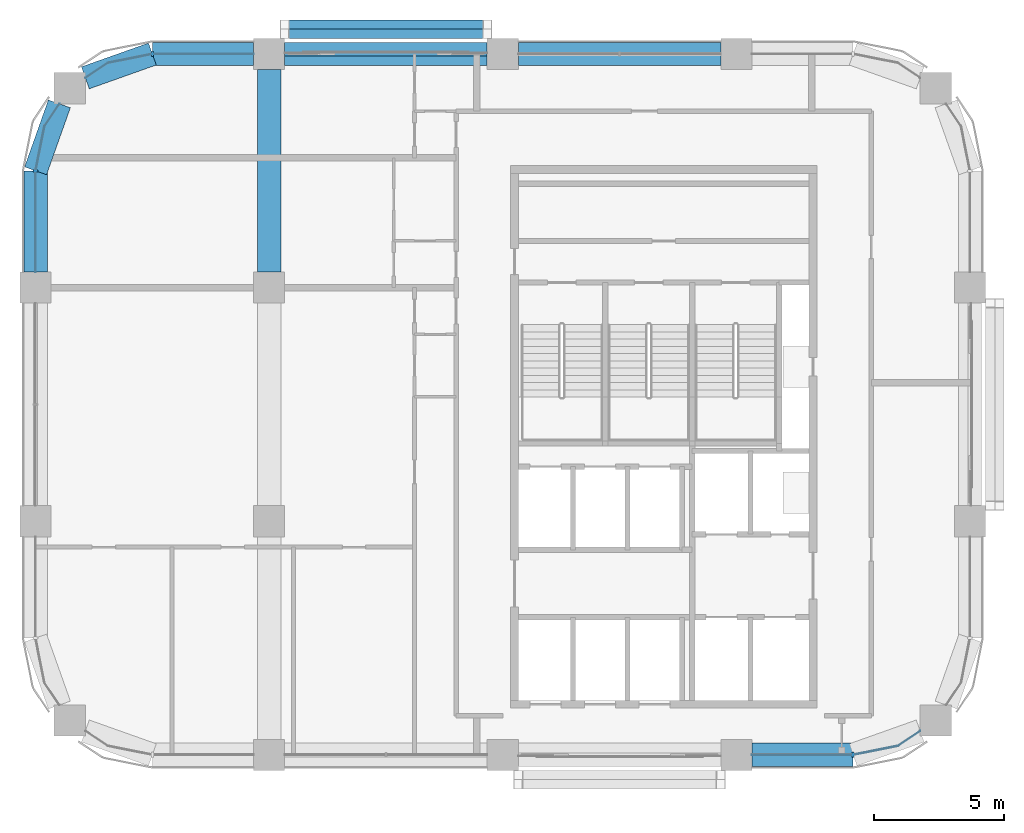
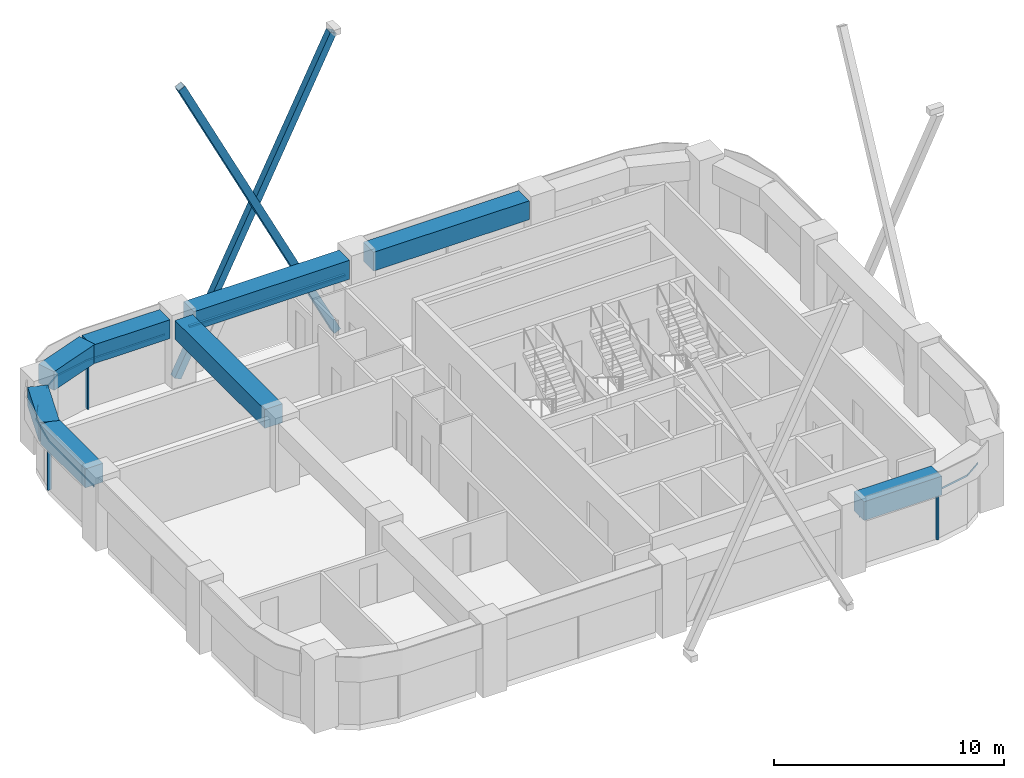
# One storey, part 3 of 10: 9 members, 8 beams, 4 elements without a shape of their own.
"""IFC4 building model written with IfcOpenShell, lengths in metres."""

from ifc_helpers import new_model, si_unit, direction, frame, origin, origin_2d, place, context, subcontext, project, spatial, polyline, rectangle, hollow_rectangle, outline, extrude, material, material_profile, profile_set, type_object, element, aggregate, save


model = new_model("IFC4")

# Units and contexts
model_context = context("Model", 3, precision=1e-05, world=origin(), true_north=direction((0.0, 1.0)))
body_context = subcontext(model_context, "Body", "Model", "MODEL_VIEW")
ifc_project = project(units=[si_unit("LENGTHUNIT", "METRE"), si_unit("AREAUNIT", "SQUARE_METRE"), si_unit("VOLUMEUNIT", "CUBIC_METRE"), si_unit("PLANEANGLEUNIT", "RADIAN"), si_unit("MASSUNIT", "GRAM", prefix="KILO")], contexts=[model_context])

# Site, building, storey
site_placement = place(None, origin())
site = spatial("IfcSite", under=ifc_project, at=site_placement, CompositionType="ELEMENT")
building_placement = place(site_placement, origin())
building = spatial("IfcBuilding", under=site, at=building_placement, Name="Tessera Arch", CompositionType="ELEMENT")
storey_placement = place(building_placement, frame((0.0, 0.0, 301.199951171875)))
storey = spatial("IfcBuildingStorey", under=building, at=storey_placement, Name="L72", CompositionType="ELEMENT", Elevation=301.199951171875)

# Members
ifc_material_1 = material(Name="Steel A500 Gr C", Category="steel")
ifc_material_profile_1 = material_profile(ifc_material_1, hollow_rectangle(XDim=0.355712890625, YDim=0.355712890625, WallThickness=0.01171875, at=origin_2d()), Name="HSS14x14x1/2")
ifc_profile_set_1 = profile_set([ifc_material_profile_1], Name="Steel A500 Gr C")
member_type_1 = type_object("IfcMemberType", Name="Brace HSS14x14x1/2 Steel A500 Gr C", PredefinedType="BRACE", material=ifc_profile_set_1)
for number, where, z_axis, x_axis, name in (
    (1, (35.39990234375, 54.77783203125, -0.800048828125), (-0.447202397208, 0.0, 0.894432790058), (0.0, -1.0, 0.0), "Brace N54.18-2 A L72-L75"),
    (2, (27.60009765625, 55.13330078125, -0.800048828125), (0.447202397208, 0.0, 0.894432790058), (0.0, 1.0, 0.0), "Brace N54.18-2 B L72-L75"),
):
    element("IfcMember", number, at=place(storey_placement, frame(where, z_axis=z_axis, x_axis=x_axis)), inside=storey, type_object=member_type_1, Name=name, PredefinedType="BRACE", context=body_context, shape_type="SweptSolid", body=[
        extrude(hollow_rectangle(XDim=0.355712890625, YDim=0.355712890625, WallThickness=0.01171875, at=origin_2d()), origin(), (0.0, 0.0, 1.0), 17.44140625),
    ])

# Curtain wall, member
ifc_material_2 = material(Name="CW2 curtain wall")
curtain_wall_type_1 = type_object("IfcCurtainWallType", Name="CW2 curtain wall", PredefinedType="NOTDEFINED", material=ifc_material_2)
curtain_wall_1_placement = place(storey_placement, origin())
curtain_wall_1 = element("IfcCurtainWall", 3, at=curtain_wall_1_placement, inside=storey, type_object=curtain_wall_type_1, Name="CW2 curtain wall N54.18/3 L72", PredefinedType="NOTDEFINED")
ifc_material_3 = material(Name="Anodised aluminium pale metal", Category="aluminium")
ifc_material_profile_2 = material_profile(ifc_material_3, rectangle(XDim=0.199951171875, YDim=0.080078125, at=origin_2d()), Name="AL 80x200")
ifc_profile_set_2 = profile_set([ifc_material_profile_2], Name="Anodised aluminium pale metal")
member_type_2 = type_object("IfcMemberType", Name="CW2 mullion", PredefinedType="MULLION", material=ifc_profile_set_2)
member_1_placement = place(storey_placement, frame((22.5, 54.0, 0.0), z_axis=(0.0, 0.0, 1.0), x_axis=(0.0, -1.0, 0.0)))
member_1 = element("IfcMember", 4, at=member_1_placement, type_object=member_type_2, Name="CW2 mullion N54.18/3 1", PredefinedType="MULLION", context=body_context, shape_type="SweptSolid", body=[
    extrude(rectangle(XDim=0.199951171875, YDim=0.080078125, at=origin_2d()), origin(), (0.0, 0.0, 1.0), 2.5),
])

curtain_wall_2_placement = place(storey_placement, origin())
curtain_wall_2 = element("IfcCurtainWall", 5, at=curtain_wall_2_placement, inside=storey, type_object=curtain_wall_type_1, Name="CW2 curtain wall W18.27/0 L72", PredefinedType="NOTDEFINED")
member_2_placement = place(storey_placement, frame((18.0, 49.5, 0.0), z_axis=(0.0, 0.0, 1.0), x_axis=(1.0, 0.0, 0.0)))
member_2 = element("IfcMember", 6, at=member_2_placement, type_object=member_type_2, Name="CW2 mullion W18.27/0 1", PredefinedType="MULLION", context=body_context, shape_type="SweptSolid", body=[
    extrude(rectangle(XDim=0.199951171875, YDim=0.080078125, at=origin_2d()), origin(), (0.0, 0.0, 1.0), 2.5),
])

curtain_wall_3_placement = place(storey_placement, origin())
curtain_wall_3 = element("IfcCurtainWall", 7, at=curtain_wall_3_placement, inside=storey, type_object=curtain_wall_type_1, Name="CW2 curtain wall S27.18/3 L72", PredefinedType="NOTDEFINED")
member_3_placement = place(storey_placement, frame((49.5, 27.0, 0.0), z_axis=(0.0, 0.0, 1.0), x_axis=(0.0, 1.0, 0.0)))
member_3 = element("IfcMember", 8, at=member_3_placement, type_object=member_type_2, Name="CW2 mullion S27.18/3 1", PredefinedType="MULLION", context=body_context, shape_type="SweptSolid", body=[
    extrude(rectangle(XDim=0.199951171875, YDim=0.080078125, at=origin_2d()), origin(), (0.0, 0.0, 1.0), 2.5),
])

# Member
ifc_material_4 = material(Name="Anodised aluminium pale metal", Category="aluminium")
ifc_material_profile_3 = material_profile(ifc_material_4, rectangle(XDim=0.199951171875, YDim=0.10009765625, at=origin_2d()), Name="AL 200x100")
ifc_profile_set_3 = profile_set([ifc_material_profile_3], Name="Anodised aluminium pale metal")
member_type_3 = type_object("IfcMemberType", Name="CW2 transom", PredefinedType="USERDEFINED", material=ifc_profile_set_3)
member_4_placement = place(storey_placement, frame((0.0, 0.0, 2.5)))
member_4 = element("IfcMember", 9, at=member_4_placement, type_object=member_type_3, Name="CW2 transom N54.18/3 1", ObjectType="TRANSOM", PredefinedType="USERDEFINED", context=body_context, shape_type="SweptSolid", body=[
    extrude(outline(polyline([(22.5009765625, 53.989990234375), (26.39990234375, 53.989990234375), (26.39990234375, 54.010009765625), (22.4990234375, 54.010009765625), (20.77392578125, 53.6669921875), (19.912353515625, 53.09130859375), (19.923583984375, 53.07470703125), (20.78173828125, 53.648193359375), (22.5009765625, 53.989990234375)])), origin(), (0.0, 0.0, 1.0), 0.10009765625),
])

aggregate(curtain_wall_1, [member_1, member_4])

member_5_placement = place(storey_placement, frame((0.0, 0.0, 2.5)))
member_5 = element("IfcMember", 10, at=member_5_placement, type_object=member_type_3, Name="CW2 transom W18.27/0 1", ObjectType="TRANSOM", PredefinedType="USERDEFINED", context=body_context, shape_type="SweptSolid", body=[
    extrude(outline(polyline([(18.351806640625, 51.21826171875), (18.92529296875, 52.076416015625), (18.90869140625, 52.087646484375), (18.3330078125, 51.22607421875), (17.989990234375, 49.5009765625), (17.989990234375, 45.60009765625), (18.010009765625, 45.60009765625), (18.010009765625, 49.4990234375), (18.351806640625, 51.21826171875)])), origin(), (0.0, 0.0, 1.0), 0.10009765625),
])

aggregate(curtain_wall_2, [member_2, member_5])

member_6_placement = place(storey_placement, frame((0.0, 0.0, 2.5)))
member_6 = element("IfcMember", 11, at=member_6_placement, type_object=member_type_3, Name="CW2 transom S27.18/3 1", ObjectType="TRANSOM", PredefinedType="USERDEFINED", context=body_context, shape_type="SweptSolid", body=[
    extrude(outline(polyline([(49.4990234375, 27.010009765625), (45.60009765625, 27.010009765625), (45.60009765625, 26.989990234375), (49.5009765625, 26.989990234375), (51.22607421875, 27.3330078125), (52.087646484375, 27.90869140625), (52.076416015625, 27.92529296875), (51.21826171875, 27.351806640625), (49.4990234375, 27.010009765625)])), origin(), (0.0, 0.0, 1.0), 0.10009765625),
])

aggregate(curtain_wall_3, [member_3, member_6])

# Curtain wall, member
ifc_material_5 = material(Name="CW3 curtain wall")
curtain_wall_type_2 = type_object("IfcCurtainWallType", Name="CW3 curtain wall", PredefinedType="NOTDEFINED", material=ifc_material_5)
curtain_wall_4_placement = place(storey_placement, origin())
curtain_wall_4 = element("IfcCurtainWall", 12, at=curtain_wall_4_placement, inside=storey, type_object=curtain_wall_type_2, Name="CW3 curtain wall N54.18/2 L72", PredefinedType="NOTDEFINED")
ifc_material_6 = material(Name="Anodised aluminium pale metal", Category="aluminium")
ifc_material_profile_4 = material_profile(ifc_material_6, rectangle(XDim=0.139892578125, YDim=0.10009765625, at=origin_2d()), Name="AL 140x100")
ifc_profile_set_4 = profile_set([ifc_material_profile_4], Name="Anodised aluminium pale metal")
member_type_4 = type_object("IfcMemberType", Name="CW3 transom", PredefinedType="USERDEFINED", material=ifc_profile_set_4)
member_7_placement = place(storey_placement, frame((35.39990234375, 54.0, 2.550048828125), z_axis=(-1.0, 0.0, 0.0), x_axis=(0.0, -1.0, 0.0)))
member_7 = element("IfcMember", 13, at=member_7_placement, type_object=member_type_4, Name="CW3 transom N54.18/2 1.1", ObjectType="TRANSOM", PredefinedType="USERDEFINED", context=body_context, shape_type="SweptSolid", body=[
    extrude(rectangle(XDim=0.139892578125, YDim=0.10009765625, at=origin_2d()), origin(), (0.0, 0.0, 1.0), 7.7998046875),
])
aggregate(curtain_wall_4, [member_7])

# Beams
ifc_material_7 = material(Name="Concrete C60/75", Category="concrete")
ifc_material_profile_5 = material_profile(ifc_material_7, rectangle(XDim=0.89990234375, YDim=1.0, at=origin_2d()), Name="RC spandrel beam 900 x 1000 Concrete C60/75")
ifc_profile_set_5 = profile_set([ifc_material_profile_5], Name="Concrete C60/75")
beam_type = type_object("IfcBeamType", Name="RC spandrel beam 900 x 1000 Concrete C60/75", PredefinedType="BEAM", material=ifc_profile_set_5)
for number, where, z_axis, x_axis, name in (
    (14, (44.39990234375, 54.0, 3.10009765625), (-1.0, 0.0, 0.0), (0.0, -1.0, 0.0), "Spandrel beam L72 N54.18/1"),
    (15, (35.39990234375, 54.0, 3.10009765625), (-1.0, 0.0, 0.0), (0.0, -1.0, 0.0), "Spandrel beam L72 N54.18/2"),
):
    element("IfcBeam", number, at=place(storey_placement, frame(where, z_axis=z_axis, x_axis=x_axis)), inside=storey, type_object=beam_type, Name=name, PredefinedType="BEAM", context=body_context, shape_type="SweptSolid", body=[
        extrude(rectangle(XDim=0.89990234375, YDim=1.0, at=origin_2d()), origin(), (0.0, 0.0, 1.0), 7.7998046875),
    ])
beam_1_placement = place(storey_placement, frame((26.39990234375, 54.0, 3.10009765625), z_axis=(-1.0, 0.0, 0.0), x_axis=(0.0, -1.0, 0.0)))
element("IfcBeam", 16, at=beam_1_placement, inside=storey, type_object=beam_type, Name="Spandrel beam L72 N54.18/3.1", PredefinedType="BEAM", context=body_context, shape_type="SweptSolid", body=[
    extrude(rectangle(XDim=0.89990234375, YDim=1.0, at=origin_2d()), origin(), (0.0, 0.0, 1.0), 3.89990234375),
])
for number, where, z_axis, x_axis, name in (
    (17, (22.5, 54.0, 3.10009765625), (-0.942337127159, -0.334665114373, 0.0), (0.334665114373, -0.942337127159, 0.0), "Spandrel beam L72 N54.18/3.2"),
    (18, (18.9169921875, 52.08203125, 3.10009765625), (-0.334665114373, -0.942337127159, 0.0), (0.942337127159, -0.334665114373, 0.0), "Spandrel beam L72 W18.27/0.1"),
):
    element("IfcBeam", number, at=place(storey_placement, frame(where, z_axis=z_axis, x_axis=x_axis)), inside=storey, type_object=beam_type, Name=name, PredefinedType="BEAM", context=body_context, shape_type="SweptSolid", body=[
        extrude(rectangle(XDim=0.89990234375, YDim=1.0, at=origin_2d()), origin(), (0.0, 0.0, 1.0), 2.739990234375),
    ])
for number, where, z_axis, x_axis, name in (
    (19, (18.0, 49.5, 3.10009765625), (0.0, -1.0, 0.0), (1.0, 0.0, 0.0), "Spandrel beam L72 W18.27/0.2"),
    (20, (45.60009765625, 27.0, 3.10009765625), (1.0, 0.0, 0.0), (0.0, 1.0, 0.0), "Spandrel beam L72 S27.18/3.1"),
):
    element("IfcBeam", number, at=place(storey_placement, frame(where, z_axis=z_axis, x_axis=x_axis)), inside=storey, type_object=beam_type, Name=name, PredefinedType="BEAM", context=body_context, shape_type="SweptSolid", body=[
        extrude(rectangle(XDim=0.89990234375, YDim=1.0, at=origin_2d()), origin(), (0.0, 0.0, 1.0), 3.89990234375),
    ])
beam_2_placement = place(storey_placement, frame((27.0, 45.60009765625, 3.10009765625), z_axis=(0.0, 1.0, 0.0), x_axis=(-1.0, 0.0, 0.0)))
element("IfcBeam", 21, at=beam_2_placement, inside=storey, type_object=beam_type, Name="Interface beam L72 I0C4F-C4G", PredefinedType="BEAM", context=body_context, shape_type="SweptSolid", body=[
    extrude(rectangle(XDim=0.89990234375, YDim=1.0, at=origin_2d()), origin(), (0.0, 0.0, 1.0), 7.7998046875),
])

save(model, "model.ifc")
